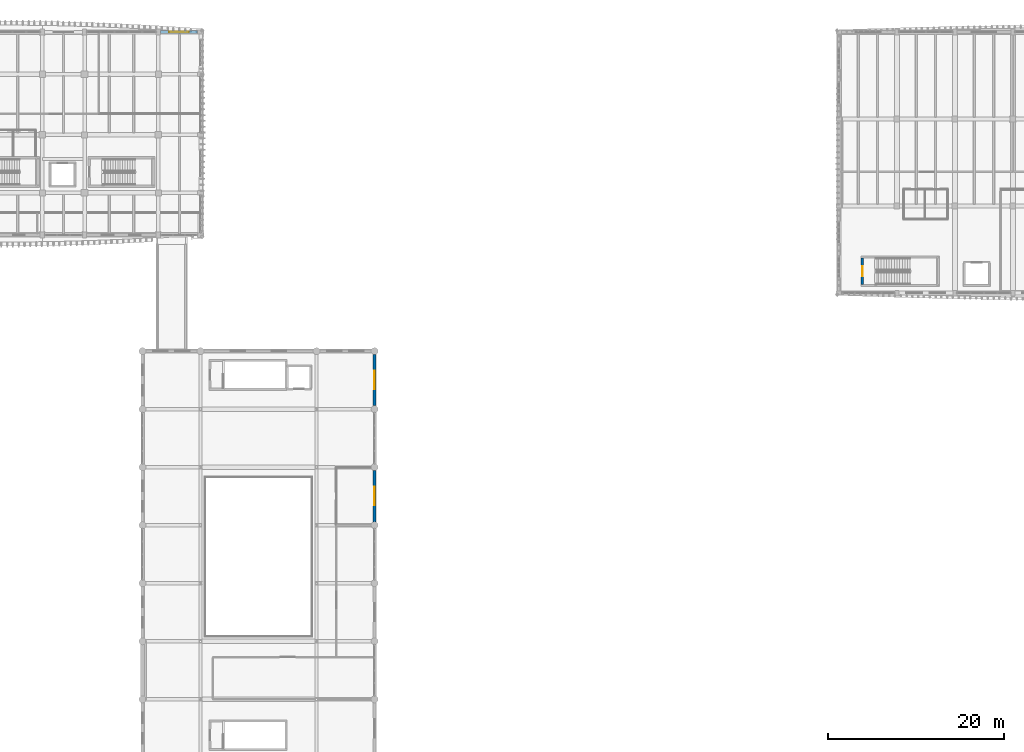
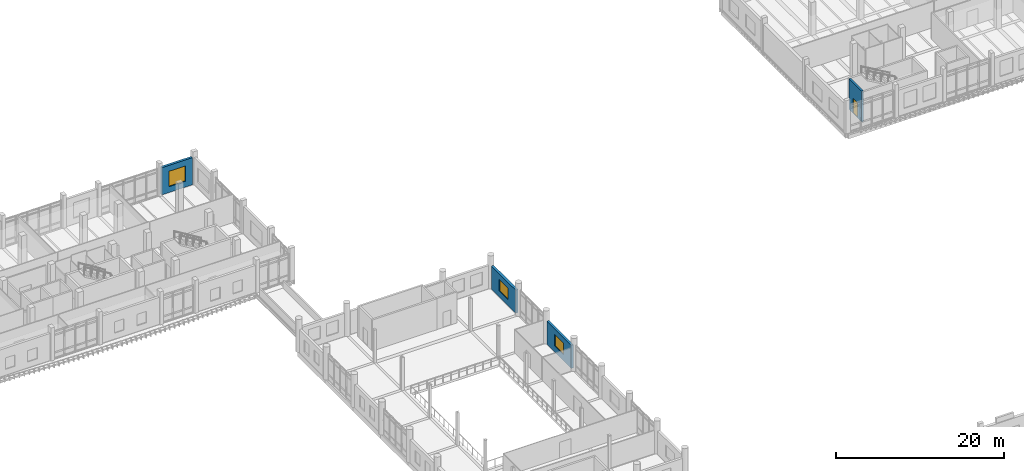
# One storey, part 53 of 76: 4 walls, 3 windows, 1 door, 4 openings.
"""IFC4 building model written with IfcOpenShell, lengths in metres."""

from ifc_helpers import new_model, si_unit, direction, frame, frame_2d, origin, place, context, subcontext, project, spatial, rectangle, extrude, material, layer, layer_set, type_object, element, fill, save


model = new_model("IFC4")

# Units and contexts
model_context = context("Model", 3, precision=1e-05, world=origin(), true_north=direction((0.0, 1.0)))
body_context = subcontext(model_context, "Body", "Model", "MODEL_VIEW")
ifc_project = project(units=[si_unit("LENGTHUNIT", "METRE"), si_unit("AREAUNIT", "SQUARE_METRE"), si_unit("VOLUMEUNIT", "CUBIC_METRE"), si_unit("PLANEANGLEUNIT", "RADIAN"), si_unit("MASSUNIT", "GRAM", prefix="KILO")], contexts=[model_context])

# Site, building, storey
site_placement = place(None, origin())
site = spatial("IfcSite", under=ifc_project, at=site_placement, CompositionType="ELEMENT")
building_placement = place(site_placement, origin())
building = spatial("IfcBuilding", under=site, at=building_placement, Name="Dornvale Research Institute", CompositionType="ELEMENT")
storey_placement = place(building_placement, frame((0.0, 0.0, 15.0)))
storey = spatial("IfcBuildingStorey", under=building, at=storey_placement, Name="L03", CompositionType="ELEMENT", Elevation=15.0)

# Wall, opening, door
ifc_material_1 = material(Name="Concrete f'c 45 MPa (C35/45)", Category="concrete")
ifc_layer_1 = layer(ifc_material_1, 0.25)
ifc_layer_set_1 = layer_set([ifc_layer_1], Name="Concrete f'c 45 MPa (C35/45)")
wall_type_1 = type_object("IfcWallType", Name="ShearWall_Core_250", PredefinedType="SHEAR", material=ifc_layer_set_1)
wall_1_placement = place(storey_placement, frame((121.47509765625, 93.39990234375, 0.0), z_axis=(0.0, 0.0, 1.0), x_axis=(0.0, 1.0, 0.0)))
wall_1 = element("IfcWall", 1, at=wall_1_placement, inside=storey, type_object=wall_type_1, Name="L03 ST-3 shaft shear wall west", PredefinedType="SHEAR", context=body_context, shape_type="SweptSolid", body=[
    extrude(rectangle(XDim=3.0, YDim=0.25, at=frame_2d((1.5, 0.0))), origin(), (0.0, 0.0, 1.0), 4.47998046875),
])
opening_1_placement = place(wall_1_placement, frame((0.93994140625, 0.0, 0.0)))
opening_1 = element("IfcOpeningElement", 2, at=opening_1_placement, cuts=wall_1, Name="Opening SD-01", PredefinedType="OPENING", context=body_context, shape_type="SweptSolid", body=[
    extrude(rectangle(XDim=1.1201171875, YDim=2.199951171875, at=frame_2d((0.56005859375, 1.10009765625))), frame((0.0, 0.139892578125, 0.0), z_axis=(0.0, -1.0, 0.0), x_axis=(1.0, 0.0, 0.0)), (0.0, 0.0, 1.0), 0.280029296875),
])
ifc_material_2 = material(Name="Insulated Fire-Rated Hollow Metal Door Assembly")
door_type = type_object("IfcDoorType", Name="Door_Stair_1120x2200", OperationType="SINGLE_SWING_LEFT", PredefinedType="DOOR", material=ifc_material_2)
door_placement = place(opening_1_placement, origin())
door = element("IfcDoor", 3, at=door_placement, inside=storey, type_object=door_type, Name="L03 ST-3 exit stair door #29", OperationType="SINGLE_SWING_LEFT", OverallHeight=2.199951171875, OverallWidth=1.1201171875, PredefinedType="DOOR", context=body_context, shape_type="SweptSolid", body=[
    extrude(rectangle(XDim=1.1201171875, YDim=2.199951171875, at=frame_2d((0.56005859375, 1.10009765625))), frame((0.0, 0.02490234375, 0.0), z_axis=(0.0, -1.0, 0.0), x_axis=(1.0, 0.0, 0.0)), (0.0, 0.0, 1.0), 0.050048828125),
])
fill(opening_1, door)

# Wall, opening, window
ifc_material_3 = material(Name="Catalan Pressed Brick and Insulated Cavity Assembly", Category="masonry")
ifc_layer_2 = layer(ifc_material_3, 0.320068359375)
ifc_layer_set_2 = layer_set([ifc_layer_2], Name="Catalan Pressed Brick and Insulated Cavity Assembly")
wall_type_2 = type_object("IfcWallType", Name="StandardWall_BrickCavity_320", PredefinedType="STANDARD", material=ifc_layer_set_2)
wall_2_placement = place(storey_placement, frame((66.0, 85.405029296875, 0.0), z_axis=(0.0, 0.0, 1.0), x_axis=(0.0, -1.0, 0.0)))
wall_2 = element("IfcWall", 4, at=wall_2_placement, inside=storey, type_object=wall_type_2, Name="L03 V2 east exterior wall #103", PredefinedType="STANDARD", context=body_context, shape_type="SweptSolid", body=[
    extrude(rectangle(XDim=5.81005859375, YDim=0.320068359375, at=frame_2d((2.905029296875, 0.0))), origin(), (0.0, 0.0, 1.0), 3.360107421875),
])
opening_2_placement = place(wall_2_placement, frame((1.85498046875, 0.0, 0.85009765625)))
opening_2 = element("IfcOpeningElement", 5, at=opening_2_placement, cuts=wall_2, Name="Opening W-19", PredefinedType="OPENING", context=body_context, shape_type="SweptSolid", body=[
    extrude(rectangle(XDim=2.10009765625, YDim=1.699951171875, at=frame_2d((1.050048828125, 0.85009765625))), frame((0.0, 0.175048828125, 0.0), z_axis=(0.0, -1.0, 0.0), x_axis=(1.0, 0.0, 0.0)), (0.0, 0.0, 1.0), 0.35009765625),
])
ifc_material_4 = material(Name="Low-E Argon Double Insulating Glazing Unit", Category="glass")
window_type_1 = type_object("IfcWindowType", Name="Window_Alu_2100x1700_19", PartitioningType="DOUBLE_PANEL_VERTICAL", PredefinedType="WINDOW", material=ifc_material_4)
window_1_placement = place(opening_2_placement, origin())
window_1 = element("IfcWindow", 6, at=window_1_placement, inside=storey, type_object=window_type_1, Name="L03 V2 facade window W-19 #132", OverallHeight=1.699951171875, OverallWidth=2.10009765625, PartitioningType="DOUBLE_PANEL_VERTICAL", PredefinedType="WINDOW", context=body_context, shape_type="SweptSolid", body=[
    extrude(rectangle(XDim=2.10009765625, YDim=1.699951171875, at=frame_2d((1.050048828125, 0.85009765625))), frame((0.0, 0.030029296875, 0.0), z_axis=(0.0, -1.0, 0.0), x_axis=(1.0, 0.0, 0.0)), (0.0, 0.0, 1.0), 0.06005859375),
])
fill(opening_2, window_1)

wall_3_placement = place(storey_placement, frame((66.0, 72.205078125, 0.0), z_axis=(0.0, 0.0, 1.0), x_axis=(0.0, -1.0, 0.0)))
wall_3 = element("IfcWall", 7, at=wall_3_placement, inside=storey, type_object=wall_type_2, Name="L03 V2 east exterior wall #104", PredefinedType="STANDARD", context=body_context, shape_type="SweptSolid", body=[
    extrude(rectangle(XDim=5.81005859375, YDim=0.320068359375, at=frame_2d((2.905029296875, 0.0))), origin(), (0.0, 0.0, 1.0), 3.360107421875),
])
opening_3_placement = place(wall_3_placement, frame((1.85498046875, 0.0, 0.85009765625)))
opening_3 = element("IfcOpeningElement", 8, at=opening_3_placement, cuts=wall_3, Name="Opening W-19", PredefinedType="OPENING", context=body_context, shape_type="SweptSolid", body=[
    extrude(rectangle(XDim=2.10009765625, YDim=1.699951171875, at=frame_2d((1.050048828125, 0.85009765625))), frame((0.0, 0.175048828125, 0.0), z_axis=(0.0, -1.0, 0.0), x_axis=(1.0, 0.0, 0.0)), (0.0, 0.0, 1.0), 0.35009765625),
])
window_2_placement = place(opening_3_placement, origin())
window_2 = element("IfcWindow", 9, at=window_2_placement, inside=storey, type_object=window_type_1, Name="L03 V2 facade window W-19 #133", OverallHeight=1.699951171875, OverallWidth=2.10009765625, PartitioningType="DOUBLE_PANEL_VERTICAL", PredefinedType="WINDOW", context=body_context, shape_type="SweptSolid", body=[
    extrude(rectangle(XDim=2.10009765625, YDim=1.699951171875, at=frame_2d((1.050048828125, 0.85009765625))), frame((0.0, 0.030029296875, 0.0), z_axis=(0.0, -1.0, 0.0), x_axis=(1.0, 0.0, 0.0)), (0.0, 0.0, 1.0), 0.06005859375),
])
fill(opening_3, window_2)

wall_4_placement = place(storey_placement, frame((41.64990234375, 122.10009765625, 0.0), z_axis=(0.0, 0.0, 1.0), x_axis=(1.0, 0.0, 0.0)))
wall_4 = element("IfcWall", 10, at=wall_4_placement, inside=storey, type_object=wall_type_2, Name="L03 V5 north exterior wall #339", PredefinedType="STANDARD", context=body_context, shape_type="SweptSolid", body=[
    extrude(rectangle(XDim=4.2001953125, YDim=0.320068359375, at=frame_2d((2.10009765625, 0.0))), origin(), (0.0, 0.0, 1.0), 3.949951171875),
])
opening_4_placement = place(wall_4_placement, frame((0.97509765625, 0.0, 0.85009765625)))
opening_4 = element("IfcOpeningElement", 11, at=opening_4_placement, cuts=wall_4, Name="Opening W-44", PredefinedType="OPENING", context=body_context, shape_type="SweptSolid", body=[
    extrude(rectangle(XDim=2.25, YDim=2.239990234375, at=frame_2d((1.125, 1.1201171875))), frame((0.0, 0.175048828125, 0.0), z_axis=(0.0, -1.0, 0.0), x_axis=(1.0, 0.0, 0.0)), (0.0, 0.0, 1.0), 0.35009765625),
])
ifc_material_5 = material(Name="Low-E Argon Double Insulating Glazing Unit", Category="glass")
window_type_2 = type_object("IfcWindowType", Name="Window_Alu_2250x2240_44", PartitioningType="DOUBLE_PANEL_VERTICAL", PredefinedType="WINDOW", material=ifc_material_5)
window_3_placement = place(opening_4_placement, origin())
window_3 = element("IfcWindow", 12, at=window_3_placement, inside=storey, type_object=window_type_2, Name="L03 V5 facade window W-44 #457", OverallHeight=2.239990234375, OverallWidth=2.25, PartitioningType="DOUBLE_PANEL_VERTICAL", PredefinedType="WINDOW", context=body_context, shape_type="SweptSolid", body=[
    extrude(rectangle(XDim=2.25, YDim=2.239990234375, at=frame_2d((1.125, 1.1201171875))), frame((0.0, 0.030029296875, 0.0), z_axis=(0.0, -1.0, 0.0), x_axis=(1.0, 0.0, 0.0)), (0.0, 0.0, 1.0), 0.06005859375),
])
fill(opening_4, window_3)

save(model, "model.ifc")
